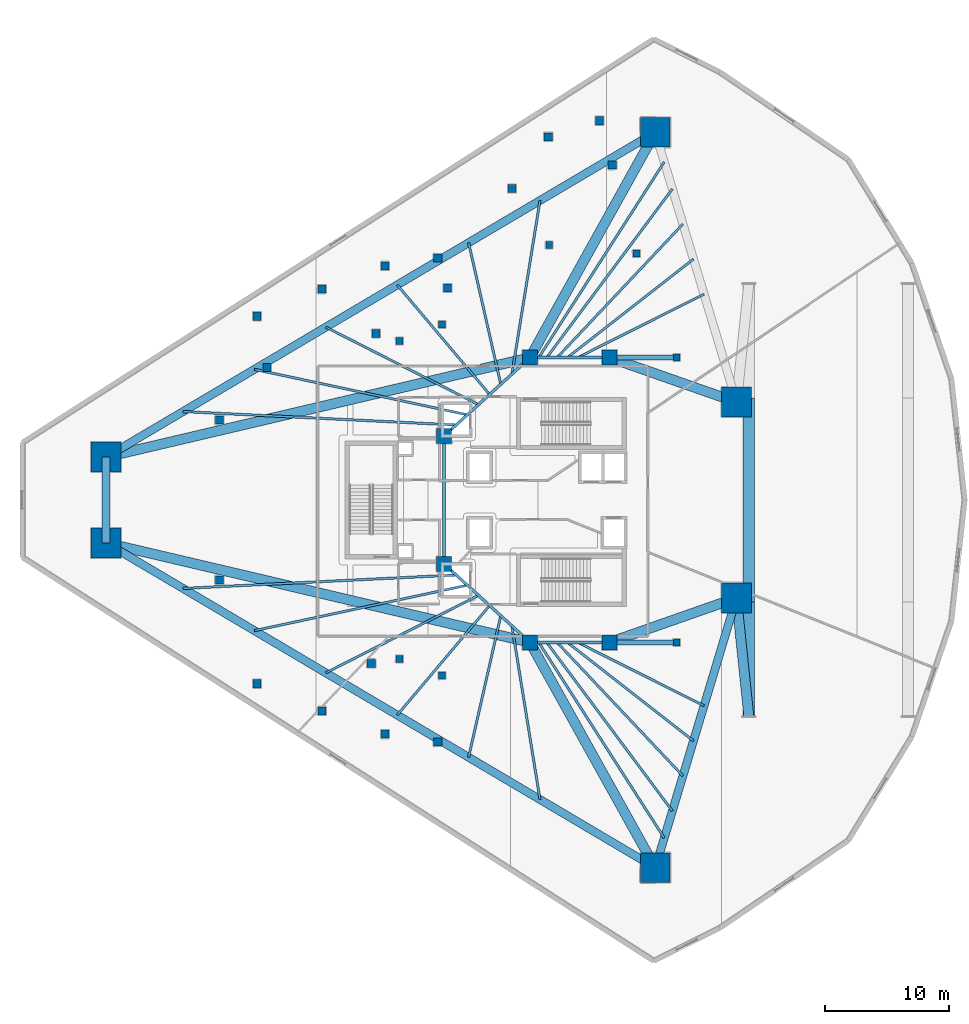
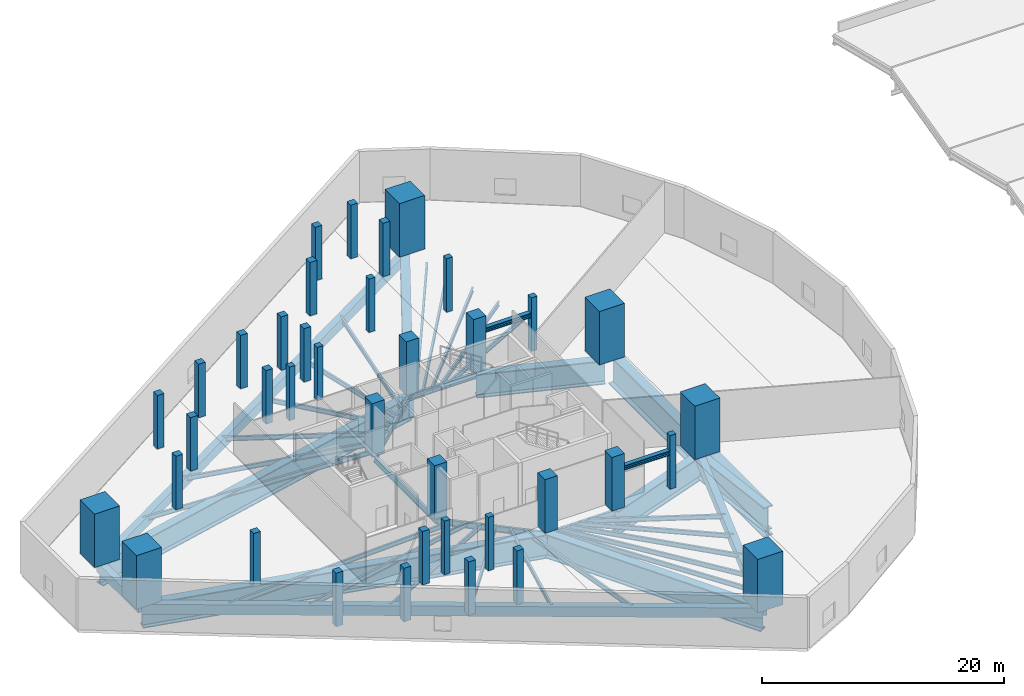
# One storey, part 1 of 36: 40 beams, 38 columns, 2 members.
"""IFC4 building model written with IfcOpenShell, lengths in metres."""

import ifcopenshell
import ifcopenshell.guid

model = None  # the IFC model being written
_history = None  # IfcOwnerHistory: only IFC2X3 demands one
_inside = {}  # id of a spatial element -> (the spatial element, [elements in it])
_under = {}  # id of a project, library or spatial element -> (it, [spatial elements below it])
_declared = {}  # id of a project -> (the project, [libraries it declares])
_typed = {}  # id of a type object -> (the type object, [elements of that type])
_made_of = {}  # id of a material, layer set ... -> (it, [elements and type objects made of it])


def new_model(schema):
    """Start an empty IFC model of exactly this schema.

    Asked for "IFC4X3", IfcOpenShell would pick the latest addendum, in which some entities
    have other attributes; the version numbers below select the first issue.
    IFC2X3 requires an IfcOwnerHistory on every rooted entity: one is made here for all.
    """
    global model, _history
    if schema == "IFC4X3":
        model = ifcopenshell.file(schema_version=(4, 3, 0, 0))
    else:
        model = ifcopenshell.file(schema=schema)
    _inside.clear()
    _under.clear()
    _declared.clear()
    _typed.clear()
    _made_of.clear()
    _history = None
    if model.schema == "IFC2X3":
        org = make("IfcOrganization", Name="unknown")
        user = make(
            "IfcPersonAndOrganization",
            ThePerson=make("IfcPerson", FamilyName="unknown"),
            TheOrganization=org,
        )
        app = make(
            "IfcApplication",
            ApplicationDeveloper=org,
            Version="unknown",
            ApplicationFullName="unknown",
            ApplicationIdentifier="unknown",
        )
        _history = make(
            "IfcOwnerHistory",
            OwningUser=user,
            OwningApplication=app,
            ChangeAction="ADDED",
            CreationDate=0,
        )
    return model


def make(cls, **values):
    """One entity of the class cls with the attributes given. An attribute that is None is left unset."""
    return model.create_entity(
        cls, **{name: value for name, value in values.items() if value is not None}
    )


def rooted(cls, **values):
    """An entity with a GlobalId (a new one), such as an element, a storey or a relation."""
    return make(cls, GlobalId=ifcopenshell.guid.new(), OwnerHistory=_history, **values)


def si_unit(unit_type, name, prefix=None):
    """IfcSIUnit, for example si_unit("LENGTHUNIT", "METRE", prefix="MILLI")."""
    return make("IfcSIUnit", UnitType=unit_type, Prefix=prefix, Name=name)


def assignment(units):
    """IfcUnitAssignment: the units of a project."""
    return None if units is None else make("IfcUnitAssignment", Units=units)


def point(xyz):
    """IfcCartesianPoint."""
    return None if xyz is None else make("IfcCartesianPoint", Coordinates=xyz)


def direction(xyz):
    """IfcDirection."""
    return None if xyz is None else make("IfcDirection", DirectionRatios=xyz)


def frame(location, z_axis=None, x_axis=None):
    """IfcAxis2Placement3D, a coordinate frame: its origin and axes. An axis left out is left unset."""
    return make(
        "IfcAxis2Placement3D",
        Location=point(location),
        Axis=direction(z_axis),
        RefDirection=direction(x_axis),
    )


def frame_2d(location, x_axis=None):
    """IfcAxis2Placement2D, a coordinate frame in the plane: its origin and x axis."""
    return make(
        "IfcAxis2Placement2D", Location=point(location), RefDirection=direction(x_axis)
    )


def origin():
    """The frame at (0, 0, 0) with its axes left unset."""
    return frame((0.0, 0.0, 0.0))


def origin_2d():
    """The frame at (0, 0) in the plane with its x axis left unset."""
    return frame_2d((0.0, 0.0))


def place(relative_to, where):
    """IfcLocalPlacement: puts the frame where relative to a parent placement (None: the world)."""
    return make(
        "IfcLocalPlacement", PlacementRelTo=relative_to, RelativePlacement=where
    )


def context(
    kind, dimensions, precision=None, world=None, true_north=None, identifier=None
):
    """IfcGeometricRepresentationContext, for example the 3D "Model" context."""
    return make(
        "IfcGeometricRepresentationContext",
        ContextIdentifier=identifier,
        ContextType=kind,
        CoordinateSpaceDimension=dimensions,
        Precision=precision,
        WorldCoordinateSystem=world,
        TrueNorth=true_north,
    )


def subcontext(parent, identifier, kind, view, scale=None):
    """IfcGeometricRepresentationSubContext, for example "Body" below "Model"."""
    return make(
        "IfcGeometricRepresentationSubContext",
        ContextIdentifier=identifier,
        ContextType=kind,
        ParentContext=parent,
        TargetScale=scale,
        TargetView=view,
    )


def project(units=None, contexts=None):
    """IfcProject with its units and contexts."""
    return rooted(
        "IfcProject",
        Name="project",
        RepresentationContexts=contexts,
        UnitsInContext=assignment(units),
    )


def spatial(cls, under=None, at=None, **own):
    """A site, building, storey or space (cls), placed at a placement, below another one or the project."""
    s = rooted(cls, ObjectPlacement=at, **own)
    if under is not None:
        _under.setdefault(under.id(), (under, []))[1].append(s)
    return s


def profile(cls, at=None, kind="AREA", **sizes):
    """A parametric profile (cls). Its sizes go by their IFC names, for example OverallWidth=200.0."""
    return make(cls, ProfileType=kind, Position=at, **sizes)


def rectangle(**sizes):
    """IfcRectangleProfileDef."""
    return profile("IfcRectangleProfileDef", **sizes)


def i_section(**sizes):
    """IfcIShapeProfileDef."""
    return profile("IfcIShapeProfileDef", **sizes)


def extrude(swept, where, along, depth):
    """IfcExtrudedAreaSolid: the profile swept, set in the frame where, extruded along a direction by depth."""
    return make(
        "IfcExtrudedAreaSolid",
        SweptArea=swept,
        Position=where,
        ExtrudedDirection=direction(along),
        Depth=depth,
    )


def shape(context_of_items, identifier, shape_type, items):
    """IfcShapeRepresentation: the items that make up one representation, for example the "Body"."""
    return make(
        "IfcShapeRepresentation",
        ContextOfItems=context_of_items,
        RepresentationIdentifier=identifier,
        RepresentationType=shape_type,
        Items=items,
    )


def material(Name=None, Category=None):
    """IfcMaterial."""
    return make("IfcMaterial", Name=Name, Category=Category)


def material_profile(
    of_material, cross_section, Name=None, Category=None, Priority=None
):
    """IfcMaterialProfile: a cross section and its material."""
    return make(
        "IfcMaterialProfile",
        Name=Name,
        Material=of_material,
        Profile=cross_section,
        Priority=Priority,
        Category=Category,
    )


def profile_set(profiles, Name=None, composite=None):
    """IfcMaterialProfileSet."""
    return make(
        "IfcMaterialProfileSet",
        Name=Name,
        MaterialProfiles=profiles,
        CompositeProfile=composite,
    )


def made_of(thing, what):
    """Note that an element or type object is made of a material, layer set ...; save() writes the relation."""
    if what is not None:
        _made_of.setdefault(what.id(), (what, []))[1].append(thing)
    return thing


def type_object(cls, material=None, **own):
    """A type object (cls), such as IfcWallType, which elements share."""
    return made_of(rooted(cls, **own), material)


def element(
    cls,
    number,
    at=None,
    inside=None,
    cuts=None,
    type_object=None,
    material=None,
    context=None,
    identifier="Body",
    shape_type=None,
    held_by="IfcProductDefinitionShape",
    body=None,
    shapes=None,
    **own,
):
    """One element of the class cls, such as IfcWall. Its Tag is "e" and its number.

    at: its placement. inside: the storey or other place that contains it. cuts: it is an
    opening in that element (IfcRelVoidsElement). A single representation is given by context,
    identifier, shape_type and body (its items); several are given by shapes. held_by: the class
    of the entity that holds the representations. save() writes the other relations.
    """
    e = rooted(cls, Tag="e%d" % number, ObjectPlacement=at, **own)
    if body is not None:
        shapes = [shape(context, identifier, shape_type, body)]
    if shapes is not None:
        e.Representation = make(held_by, Representations=shapes)
    if inside is not None:
        _inside.setdefault(inside.id(), (inside, []))[1].append(e)
    if cuts is not None:
        rooted(
            "IfcRelVoidsElement", RelatingBuildingElement=cuts, RelatedOpeningElement=e
        )
    if type_object is not None:
        _typed.setdefault(type_object.id(), (type_object, []))[1].append(e)
    return made_of(e, material)


def aggregate(whole, parts):
    """IfcRelAggregates: a whole, such as a stair, and the parts it consists of."""
    return rooted("IfcRelAggregates", RelatingObject=whole, RelatedObjects=parts)


def save(model, path):
    """Write the relations noted so far, then the file.

    IfcRelAggregates (storeys below a building ...), IfcRelContainedInSpatialStructure (elements
    in a storey), IfcRelDefinesByType, IfcRelAssociatesMaterial and IfcRelDeclares: one each for
    every whole, place, type object, material and project.
    """
    for whole, parts in _under.values():
        aggregate(whole, parts)
    for where, things in _inside.values():
        rooted(
            "IfcRelContainedInSpatialStructure",
            RelatedElements=things,
            RelatingStructure=where,
        )
    for kind, things in _typed.values():
        rooted("IfcRelDefinesByType", RelatedObjects=things, RelatingType=kind)
    for what, things in _made_of.values():
        rooted("IfcRelAssociatesMaterial", RelatedObjects=things, RelatingMaterial=what)
    for by, libraries in _declared.values():
        rooted("IfcRelDeclares", RelatingContext=by, RelatedDefinitions=libraries)
    model.write(path)


model = new_model("IFC4")

# Units and contexts
model_context = context("Model", 3, precision=1e-05, world=origin(), true_north=direction((0.0, 1.0)))
body_context = subcontext(model_context, "Body", "Model", "MODEL_VIEW")
ifc_project = project(units=[si_unit("LENGTHUNIT", "METRE"), si_unit("AREAUNIT", "SQUARE_METRE"), si_unit("VOLUMEUNIT", "CUBIC_METRE"), si_unit("PLANEANGLEUNIT", "RADIAN"), si_unit("MASSUNIT", "GRAM", prefix="KILO")], contexts=[model_context])

# Site, building, storey
site_placement = place(None, origin())
site = spatial("IfcSite", under=ifc_project, at=site_placement, CompositionType="ELEMENT")
building_placement = place(site_placement, origin())
building = spatial("IfcBuilding", under=site, at=building_placement, Name="Qorvath Tower", CompositionType="ELEMENT")
storey_placement = place(building_placement, frame((0.0, 0.0, 27.0)))
storey = spatial("IfcBuildingStorey", under=building, at=storey_placement, Name="L05", CompositionType="ELEMENT", Elevation=27.0)

# Columns
ifc_material_1 = material(Name="Concrete C70/85", Category="concrete")
ifc_material_profile_1 = material_profile(ifc_material_1, rectangle(XDim=2.39990234375, YDim=2.39990234375, at=origin_2d()), Name="MC 2400x2400")
ifc_profile_set_1 = profile_set([ifc_material_profile_1], Name="Concrete C70/85")
column_type_1 = type_object("IfcColumnType", Name="COL-MC1", PredefinedType="COLUMN", material=ifc_profile_set_1)
for number, where, z_axis, x_axis, name in (
    (1, (-57.679931640625, 3.4560546875, 0.0), (0.0, 0.0, 1.0), (1.0, 0.0, 0.0), "Composite Mega-Column MC1 L05"),
    (2, (-57.679931640625, -3.4560546875, 0.0), (0.0, 0.0, 1.0), (1.0, 0.0, 0.0), "Composite Mega-Column MC2 L05"),
    (3, (-13.52001953125, -29.568115234375, 0.0), (0.0, 0.0, 1.0), (1.0, 0.0, 0.0), "Composite Mega-Column MC3 L05"),
    (4, (-6.991943359375, -7.8720703125, 0.0), (0.0, 0.0, 1.0), (1.0, 0.0, 0.0), "Composite Mega-Column MC4 L05"),
    (5, (-6.991943359375, 7.8720703125, 0.0), (0.0, 0.0, 1.0), (1.0, 0.0, 0.0), "Composite Mega-Column MC5 L05"),
    (6, (-13.52001953125, 29.568115234375, 0.0), (0.0, 0.0, 1.0), (1.0, 0.0, 0.0), "Composite Mega-Column MC6 L05"),
):
    element("IfcColumn", number, at=place(storey_placement, frame(where, z_axis=z_axis, x_axis=x_axis)), inside=storey, type_object=column_type_1, Name=name, PredefinedType="COLUMN", context=body_context, shape_type="SweptSolid", body=[
        extrude(rectangle(XDim=2.39990234375, YDim=2.39990234375, at=origin_2d()), origin(), (0.0, 0.0, 1.0), 5.39990234375),
    ])
ifc_material_2 = material(Name="Concrete C60/75", Category="concrete")
ifc_material_profile_2 = material_profile(ifc_material_2, rectangle(XDim=1.199951171875, YDim=1.199951171875, at=origin_2d()), Name="RC 1200x1200")
ifc_profile_set_2 = profile_set([ifc_material_profile_2], Name="Concrete C60/75")
column_type_2 = type_object("IfcColumnType", Name="COL-RC1", PredefinedType="COLUMN", material=ifc_profile_set_2)
for number, where, z_axis, x_axis, name in (
    (7, (-23.60009765625, 11.449951171875, 0.0), (0.0, 0.0, 1.0), (1.0, 0.0, 0.0), "Core Spine Column CC1 L05"),
    (8, (-17.199951171875, 11.449951171875, 0.0), (0.0, 0.0, 1.0), (1.0, 0.0, 0.0), "Core Spine Column CC2 L05"),
    (9, (-17.199951171875, -11.449951171875, 0.0), (0.0, 0.0, 1.0), (1.0, 0.0, 0.0), "Core Spine Column CC3 L05"),
    (10, (-23.60009765625, -11.449951171875, 0.0), (0.0, 0.0, 1.0), (1.0, 0.0, 0.0), "Core Spine Column CC4 L05"),
    (11, (-30.5, 5.14990234375, 0.0), (0.0, 0.0, 1.0), (1.0, 0.0, 0.0), "Core Spine Column CC5 L05"),
    (12, (-30.5, -5.14990234375, 0.0), (0.0, 0.0, 1.0), (1.0, 0.0, 0.0), "Core Spine Column CC6 L05"),
):
    element("IfcColumn", number, at=place(storey_placement, frame(where, z_axis=z_axis, x_axis=x_axis)), inside=storey, type_object=column_type_2, Name=name, PredefinedType="COLUMN", context=body_context, shape_type="SweptSolid", body=[
        extrude(rectangle(XDim=1.199951171875, YDim=1.199951171875, at=origin_2d()), origin(), (0.0, 0.0, 1.0), 5.39990234375),
    ])
ifc_material_3 = material(Name="Concrete C45/55", Category="concrete")
ifc_material_profile_3 = material_profile(ifc_material_3, rectangle(XDim=0.64990234375, YDim=0.64990234375, at=origin_2d()), Name="RC 650x650")
ifc_profile_set_3 = profile_set([ifc_material_profile_3], Name="Concrete C45/55")
column_type_3 = type_object("IfcColumnType", Name="COL-RC6", PredefinedType="COLUMN", material=ifc_profile_set_3)
for number, where, z_axis, x_axis, name in (
    (13, (-45.536376953125, 14.774658203125, 0.0), (0.0, 0.0, 1.0), (1.0, 0.0, 0.0), "Loggia Frame Pier Column LGA1 L05"),
    (14, (-45.536376953125, -14.774658203125, 0.0), (0.0, 0.0, 1.0), (1.0, 0.0, 0.0), "Loggia Frame Pier Column LGA2 L05"),
    (15, (-22.13134765625, 29.20556640625, 0.0), (0.0, 0.0, 1.0), (1.0, 0.0, 0.0), "Loggia Frame Pier Column LGA3 L05"),
    (16, (-40.33251953125, 16.955810546875, 0.0), (0.0, 0.0, 1.0), (1.0, 0.0, 0.0), "Loggia Frame Pier Column LGB1 L05"),
    (17, (-40.33251953125, -16.955810546875, 0.0), (0.0, 0.0, 1.0), (1.0, 0.0, 0.0), "Loggia Frame Pier Column LGB2 L05"),
    (18, (-18.0, 30.5, 0.0), (0.0, 0.0, 1.0), (1.0, 0.0, 0.0), "Loggia Frame Pier Column LGB3 L05"),
    (19, (-35.251708984375, 18.829345703125, 0.0), (0.0, 0.0, 1.0), (1.0, 0.0, 0.0), "Loggia Frame Pier Column LGC1 L05"),
    (20, (-35.251708984375, -18.829345703125, 0.0), (0.0, 0.0, 1.0), (1.0, 0.0, 0.0), "Loggia Frame Pier Column LGC2 L05"),
    (21, (-25.03759765625, 25.058837890625, 0.0), (0.0, 0.0, 1.0), (1.0, 0.0, 0.0), "Loggia Frame Pier Column LGC3 L05"),
    (22, (-31.01611328125, 19.46044921875, 0.0), (0.0, 0.0, 1.0), (1.0, 0.0, 0.0), "Loggia Frame Pier Column LGD1 L05"),
    (23, (-31.01611328125, -19.46044921875, 0.0), (0.0, 0.0, 1.0), (1.0, 0.0, 0.0), "Loggia Frame Pier Column LGD2 L05"),
    (24, (-44.736328125, 10.65234375, 0.0), (0.0, 0.0, 1.0), (1.0, 0.0, 0.0), "Loggia Frame Pier Column LGD3 L05"),
    (25, (-48.578369140625, 6.424560546875, 0.0), (0.0, 0.0, 1.0), (1.0, 0.0, 0.0), "Loggia Frame Pier Column LGE1 L05"),
    (26, (-48.578369140625, -6.424560546875, 0.0), (0.0, 0.0, 1.0), (1.0, 0.0, 0.0), "Loggia Frame Pier Column LGE2 L05"),
    (27, (-16.981201171875, 26.92919921875, 0.0), (0.0, 0.0, 1.0), (1.0, 0.0, 0.0), "Loggia Frame Pier Column LGE3 L05"),
    (28, (-35.980712890625, 13.380859375, 0.0), (0.0, 0.0, 1.0), (1.0, 0.0, 0.0), "Loggia Frame Pier Column LGF1 L05"),
    (29, (-36.36474609375, -13.135498046875, 0.0), (0.0, 0.0, 1.0), (1.0, 0.0, 0.0), "Loggia Frame Pier Column LGF2 L05"),
    (30, (-30.224853515625, 17.0595703125, 0.0), (0.0, 0.0, 1.0), (1.0, 0.0, 0.0), "Loggia Frame Pier Column LGF3 L05"),
):
    element("IfcColumn", number, at=place(storey_placement, frame(where, z_axis=z_axis, x_axis=x_axis)), inside=storey, type_object=column_type_3, Name=name, PredefinedType="COLUMN", context=body_context, shape_type="SweptSolid", body=[
        extrude(rectangle(XDim=0.64990234375, YDim=0.64990234375, at=origin_2d()), origin(), (0.0, 0.0, 1.0), 5.39990234375),
    ])
ifc_material_4 = material(Name="Concrete C45/55", Category="concrete")
ifc_material_profile_4 = material_profile(ifc_material_4, rectangle(XDim=0.550048828125, YDim=0.550048828125, at=origin_2d()), Name="RC 550x550")
ifc_profile_set_4 = profile_set([ifc_material_profile_4], Name="Concrete C45/55")
column_type_4 = type_object("IfcColumnType", Name="COL-RC7", PredefinedType="COLUMN", material=ifc_profile_set_4)
for number, where, z_axis, x_axis, name in (
    (31, (-34.104248046875, 12.79248046875, 0.0), (0.0, 0.0, 1.0), (1.0, 0.0, 0.0), "Loggia Frame Pier Column LGG1 L05"),
    (32, (-34.104248046875, -12.79248046875, 0.0), (0.0, 0.0, 1.0), (1.0, 0.0, 0.0), "Loggia Frame Pier Column LGG2 L05"),
    (33, (-22.05322265625, 20.494873046875, 0.0), (0.0, 0.0, 1.0), (1.0, 0.0, 0.0), "Loggia Frame Pier Column LGG3 L05"),
    (34, (-30.67724609375, 14.124267578125, 0.0), (0.0, 0.0, 1.0), (1.0, 0.0, 0.0), "Loggia Frame Pier Column LGH1 L05"),
    (35, (-30.67724609375, -14.124267578125, 0.0), (0.0, 0.0, 1.0), (1.0, 0.0, 0.0), "Loggia Frame Pier Column LGH2 L05"),
    (36, (-15.046142578125, 19.818115234375, 0.0), (0.0, 0.0, 1.0), (1.0, 0.0, 0.0), "Loggia Frame Pier Column LGH3 L05"),
    (37, (-11.800048828125, -11.449951171875, 0.0), (0.0, 0.0, 1.0), (1.0, 0.0, 0.0), "Central Slot Jamb Column SC1 L05"),
    (38, (-11.800048828125, 11.449951171875, 0.0), (0.0, 0.0, 1.0), (1.0, 0.0, 0.0), "Central Slot Jamb Column SC2 L05"),
):
    element("IfcColumn", number, at=place(storey_placement, frame(where, z_axis=z_axis, x_axis=x_axis)), inside=storey, type_object=column_type_4, Name=name, PredefinedType="COLUMN", context=body_context, shape_type="SweptSolid", body=[
        extrude(rectangle(XDim=0.550048828125, YDim=0.550048828125, at=origin_2d()), origin(), (0.0, 0.0, 1.0), 5.39990234375),
    ])

# Beams
ifc_material_5 = material(Name="Steel ASTM A992 Grade 50", Category="steel")
ifc_material_profile_5 = material_profile(ifc_material_5, i_section(OverallWidth=0.22998046875, OverallDepth=0.616943359375, WebThickness=0.01318359375, FlangeThickness=0.022216796875, FilletRadius=0.014892578125, at=origin_2d()), Name="W24x94")
ifc_profile_set_5 = profile_set([ifc_material_profile_5], Name="Steel ASTM A992 Grade 50")
beam_type_1 = type_object("IfcBeamType", Name="BM-FG6", PredefinedType="BEAM", material=ifc_profile_set_5)
for number, where, z_axis, x_axis, name in (
    (39, (-23.60009765625, 11.449951171875, -0.728515625), (1.0, 0.0, 0.0), (0.0, 1.0, 0.0), "Core Ring Girder CC1-CC2 L05"),
    (40, (-17.199951171875, -11.449951171875, -0.728515625), (-1.0, 0.0, 0.0), (0.0, -1.0, 0.0), "Core Ring Girder CC3-CC4 L05"),
):
    element("IfcBeam", number, at=place(storey_placement, frame(where, z_axis=z_axis, x_axis=x_axis)), inside=storey, type_object=beam_type_1, Name=name, PredefinedType="BEAM", context=body_context, shape_type="SweptSolid", body=[
        extrude(i_section(OverallWidth=0.22998046875, OverallDepth=0.616943359375, WebThickness=0.01318359375, FlangeThickness=0.022216796875, FilletRadius=0.014892578125, at=origin_2d()), origin(), (0.0, 0.0, 1.0), 6.400146484375),
    ])
beam_1_placement = place(storey_placement, frame((-23.60009765625, -11.449951171875, -0.728515625), z_axis=(-0.73847813985, 0.6742774184, 0.0), x_axis=(-0.6742774184, -0.73847813985, 0.0)))
element("IfcBeam", 41, at=beam_1_placement, inside=storey, type_object=beam_type_1, Name="Core Ring Girder CC4-CC6 L05", PredefinedType="BEAM", context=body_context, shape_type="SweptSolid", body=[
    extrude(i_section(OverallWidth=0.22998046875, OverallDepth=0.616943359375, WebThickness=0.01318359375, FlangeThickness=0.022216796875, FilletRadius=0.014892578125, at=origin_2d()), origin(), (0.0, 0.0, 1.0), 9.343505859375),
])
beam_2_placement = place(storey_placement, frame((-30.5, -5.14990234375, -0.728515625), z_axis=(0.0, 1.0, 0.0), x_axis=(-1.0, 0.0, 0.0)))
element("IfcBeam", 42, at=beam_2_placement, inside=storey, type_object=beam_type_1, Name="Core Ring Girder CC6-CC5 L05", PredefinedType="BEAM", context=body_context, shape_type="SweptSolid", body=[
    extrude(i_section(OverallWidth=0.22998046875, OverallDepth=0.616943359375, WebThickness=0.01318359375, FlangeThickness=0.022216796875, FilletRadius=0.014892578125, at=origin_2d()), origin(), (0.0, 0.0, 1.0), 10.2998046875),
])
beam_3_placement = place(storey_placement, frame((-30.5, 5.14990234375, -0.728515625), z_axis=(0.73847813985, 0.6742774184, 0.0), x_axis=(-0.6742774184, 0.73847813985, 0.0)))
element("IfcBeam", 43, at=beam_3_placement, inside=storey, type_object=beam_type_1, Name="Core Ring Girder CC5-CC1 L05", PredefinedType="BEAM", context=body_context, shape_type="SweptSolid", body=[
    extrude(i_section(OverallWidth=0.22998046875, OverallDepth=0.616943359375, WebThickness=0.01318359375, FlangeThickness=0.022216796875, FilletRadius=0.014892578125, at=origin_2d()), origin(), (0.0, 0.0, 1.0), 9.343505859375),
])
ifc_material_6 = material(Name="Steel ASTM A992 Grade 50", Category="steel")
ifc_material_profile_6 = material_profile(ifc_material_6, i_section(OverallWidth=0.18994140625, OverallDepth=0.45703125, WebThickness=0.009033203125, FlangeThickness=0.014404296875, FilletRadius=0.011962890625, at=origin_2d()), Name="W18x50")
ifc_profile_set_6 = profile_set([ifc_material_profile_6], Name="Steel ASTM A992 Grade 50")
beam_type_2 = type_object("IfcBeamType", Name="BM-FJ2", PredefinedType="JOIST", material=ifc_profile_set_6)
beam_4_placement = place(storey_placement, frame((-19.760009765625, 11.449951171875, -0.6484375), z_axis=(0.893652537812, 0.448759558854, 0.0), x_axis=(-0.448759558854, 0.893652537812, 0.0)))
element("IfcBeam", 44, at=beam_4_placement, inside=storey, type_object=beam_type_2, Name="Composite Floor Joist NE3 L05", PredefinedType="JOIST", context=body_context, shape_type="SweptSolid", body=[
    extrude(i_section(OverallWidth=0.18994140625, OverallDepth=0.45703125, WebThickness=0.009033203125, FlangeThickness=0.014404296875, FilletRadius=0.011962890625, at=origin_2d()), origin(), (0.0, 0.0, 1.0), 11.365478515625),
])
beam_5_placement = place(storey_placement, frame((-20.592041015625, 11.449951171875, -0.6484375), z_axis=(0.788065219548, 0.615591755743, 0.0), x_axis=(-0.615591755743, 0.788065219548, 0.0)))
element("IfcBeam", 45, at=beam_5_placement, inside=storey, type_object=beam_type_2, Name="Composite Floor Joist NE4 L05", PredefinedType="JOIST", context=body_context, shape_type="SweptSolid", body=[
    extrude(i_section(OverallWidth=0.18994140625, OverallDepth=0.45703125, WebThickness=0.009033203125, FlangeThickness=0.014404296875, FilletRadius=0.011962890625, at=origin_2d()), origin(), (0.0, 0.0, 1.0), 12.8671875),
])
beam_6_placement = place(storey_placement, frame((-21.424072265625, 11.449951171875, -0.6484375), z_axis=(0.685864998621, 0.727728798156, 0.0), x_axis=(-0.727728798156, 0.685864998621, 0.0)))
element("IfcBeam", 46, at=beam_6_placement, inside=storey, type_object=beam_type_2, Name="Composite Floor Joist NE5 L05", PredefinedType="JOIST", context=body_context, shape_type="SweptSolid", body=[
    extrude(i_section(OverallWidth=0.18994140625, OverallDepth=0.45703125, WebThickness=0.009033203125, FlangeThickness=0.014404296875, FilletRadius=0.011962890625, at=origin_2d()), origin(), (0.0, 0.0, 1.0), 14.76025390625),
])
beam_7_placement = place(storey_placement, frame((-22.256103515625, 11.449951171875, -0.6484375), z_axis=(0.597560668487, 0.801823700995, 0.0), x_axis=(-0.801823700995, 0.597560668487, 0.0)))
element("IfcBeam", 47, at=beam_7_placement, inside=storey, type_object=beam_type_2, Name="Composite Floor Joist NE6 L05", PredefinedType="JOIST", context=body_context, shape_type="SweptSolid", body=[
    extrude(i_section(OverallWidth=0.18994140625, OverallDepth=0.45703125, WebThickness=0.009033203125, FlangeThickness=0.014404296875, FilletRadius=0.011962890625, at=origin_2d()), origin(), (0.0, 0.0, 1.0), 16.91357421875),
])
beam_8_placement = place(storey_placement, frame((-22.89599609375, 11.449951171875, -0.6484375), z_axis=(0.540035180097, 0.841642444425, 0.0), x_axis=(-0.841642444425, 0.540035180097, 0.0)))
element("IfcBeam", 48, at=beam_8_placement, inside=storey, type_object=beam_type_2, Name="Composite Floor Joist NE7 L05", PredefinedType="JOIST", context=body_context, shape_type="SweptSolid", body=[
    extrude(i_section(OverallWidth=0.18994140625, OverallDepth=0.45703125, WebThickness=0.009033203125, FlangeThickness=0.014404296875, FilletRadius=0.011962890625, at=origin_2d()), origin(), (0.0, 0.0, 1.0), 18.69140625),
])
beam_9_placement = place(storey_placement, frame((-19.760009765625, -11.449951171875, -0.6484375), z_axis=(0.893652537812, -0.448759558854, 0.0), x_axis=(0.448759558854, 0.893652537812, 0.0)))
element("IfcBeam", 49, at=beam_9_placement, inside=storey, type_object=beam_type_2, Name="Composite Floor Joist SE3 L05", PredefinedType="JOIST", context=body_context, shape_type="SweptSolid", body=[
    extrude(i_section(OverallWidth=0.18994140625, OverallDepth=0.45703125, WebThickness=0.009033203125, FlangeThickness=0.014404296875, FilletRadius=0.011962890625, at=origin_2d()), origin(), (0.0, 0.0, 1.0), 11.365478515625),
])
beam_10_placement = place(storey_placement, frame((-20.592041015625, -11.449951171875, -0.6484375), z_axis=(0.788065219548, -0.615591755743, 0.0), x_axis=(0.615591755743, 0.788065219548, 0.0)))
element("IfcBeam", 50, at=beam_10_placement, inside=storey, type_object=beam_type_2, Name="Composite Floor Joist SE4 L05", PredefinedType="JOIST", context=body_context, shape_type="SweptSolid", body=[
    extrude(i_section(OverallWidth=0.18994140625, OverallDepth=0.45703125, WebThickness=0.009033203125, FlangeThickness=0.014404296875, FilletRadius=0.011962890625, at=origin_2d()), origin(), (0.0, 0.0, 1.0), 12.8671875),
])
beam_11_placement = place(storey_placement, frame((-21.424072265625, -11.449951171875, -0.6484375), z_axis=(0.685864998621, -0.727728798156, 0.0), x_axis=(0.727728798156, 0.685864998621, 0.0)))
element("IfcBeam", 51, at=beam_11_placement, inside=storey, type_object=beam_type_2, Name="Composite Floor Joist SE5 L05", PredefinedType="JOIST", context=body_context, shape_type="SweptSolid", body=[
    extrude(i_section(OverallWidth=0.18994140625, OverallDepth=0.45703125, WebThickness=0.009033203125, FlangeThickness=0.014404296875, FilletRadius=0.011962890625, at=origin_2d()), origin(), (0.0, 0.0, 1.0), 14.76025390625),
])
beam_12_placement = place(storey_placement, frame((-22.256103515625, -11.449951171875, -0.6484375), z_axis=(0.597560668487, -0.801823700995, 0.0), x_axis=(0.801823700995, 0.597560668487, 0.0)))
element("IfcBeam", 52, at=beam_12_placement, inside=storey, type_object=beam_type_2, Name="Composite Floor Joist SE6 L05", PredefinedType="JOIST", context=body_context, shape_type="SweptSolid", body=[
    extrude(i_section(OverallWidth=0.18994140625, OverallDepth=0.45703125, WebThickness=0.009033203125, FlangeThickness=0.014404296875, FilletRadius=0.011962890625, at=origin_2d()), origin(), (0.0, 0.0, 1.0), 16.91357421875),
])
beam_13_placement = place(storey_placement, frame((-22.89599609375, -11.449951171875, -0.6484375), z_axis=(0.540035180097, -0.841642444425, 0.0), x_axis=(0.841642444425, 0.540035180097, 0.0)))
element("IfcBeam", 53, at=beam_13_placement, inside=storey, type_object=beam_type_2, Name="Composite Floor Joist SE7 L05", PredefinedType="JOIST", context=body_context, shape_type="SweptSolid", body=[
    extrude(i_section(OverallWidth=0.18994140625, OverallDepth=0.45703125, WebThickness=0.009033203125, FlangeThickness=0.014404296875, FilletRadius=0.011962890625, at=origin_2d()), origin(), (0.0, 0.0, 1.0), 18.69140625),
])
beam_14_placement = place(storey_placement, frame((-29.533935546875, 6.031982421875, -0.6484375), z_axis=(-0.998794149334, 0.04909426907, 0.0), x_axis=(-0.04909426907, -0.998794149334, 0.0)))
element("IfcBeam", 54, at=beam_14_placement, inside=storey, type_object=beam_type_2, Name="Composite Floor Joist NW1 L05", PredefinedType="JOIST", context=body_context, shape_type="SweptSolid", body=[
    extrude(i_section(OverallWidth=0.18994140625, OverallDepth=0.45703125, WebThickness=0.009033203125, FlangeThickness=0.014404296875, FilletRadius=0.011962890625, at=origin_2d()), origin(), (0.0, 0.0, 1.0), 21.990234375),
])
beam_15_placement = place(storey_placement, frame((-28.636962890625, 6.85107421875, -0.6484375), z_axis=(-0.977957459776, 0.208804230962, 0.0), x_axis=(-0.208804230962, -0.977957459776, 0.0)))
element("IfcBeam", 55, at=beam_15_placement, inside=storey, type_object=beam_type_2, Name="Composite Floor Joist NW2 L05", PredefinedType="JOIST", context=body_context, shape_type="SweptSolid", body=[
    extrude(i_section(OverallWidth=0.18994140625, OverallDepth=0.45703125, WebThickness=0.009033203125, FlangeThickness=0.014404296875, FilletRadius=0.011962890625, at=origin_2d()), origin(), (0.0, 0.0, 1.0), 17.505859375),
])
beam_16_placement = place(storey_placement, frame((-27.739990234375, 7.669921875, -0.6484375), z_axis=(-0.891711806986, 0.452603638166, 0.0), x_axis=(-0.452603638166, -0.891711806986, 0.0)))
element("IfcBeam", 56, at=beam_16_placement, inside=storey, type_object=beam_type_2, Name="Composite Floor Joist NW3 L05", PredefinedType="JOIST", context=body_context, shape_type="SweptSolid", body=[
    extrude(i_section(OverallWidth=0.18994140625, OverallDepth=0.45703125, WebThickness=0.009033203125, FlangeThickness=0.014404296875, FilletRadius=0.011962890625, at=origin_2d()), origin(), (0.0, 0.0, 1.0), 13.766845703125),
])
beam_17_placement = place(storey_placement, frame((-26.843017578125, 8.489013671875, -0.6484375), z_axis=(-0.644958726494, 0.764217404355, 0.0), x_axis=(-0.764217404355, -0.644958726494, 0.0)))
element("IfcBeam", 57, at=beam_17_placement, inside=storey, type_object=beam_type_2, Name="Composite Floor Joist NW4 L05", PredefinedType="JOIST", context=body_context, shape_type="SweptSolid", body=[
    extrude(i_section(OverallWidth=0.18994140625, OverallDepth=0.45703125, WebThickness=0.009033203125, FlangeThickness=0.014404296875, FilletRadius=0.011962890625, at=origin_2d()), origin(), (0.0, 0.0, 1.0), 11.5234375),
])
beam_18_placement = place(storey_placement, frame((-25.946044921875, 9.30810546875, -0.6484375), z_axis=(-0.221751282053, 0.975103260639, 0.0), x_axis=(-0.975103260639, -0.221751282053, 0.0)))
element("IfcBeam", 58, at=beam_18_placement, inside=storey, type_object=beam_type_2, Name="Composite Floor Joist NW5 L05", PredefinedType="JOIST", context=body_context, shape_type="SweptSolid", body=[
    extrude(i_section(OverallWidth=0.18994140625, OverallDepth=0.45703125, WebThickness=0.009033203125, FlangeThickness=0.014404296875, FilletRadius=0.011962890625, at=origin_2d()), origin(), (0.0, 0.0, 1.0), 11.67236328125),
])
beam_19_placement = place(storey_placement, frame((-25.049072265625, 10.126953125, -0.6484375), z_axis=(0.159519083064, 0.987194845073, 0.0), x_axis=(-0.987194845073, 0.159519083064, 0.0)))
element("IfcBeam", 59, at=beam_19_placement, inside=storey, type_object=beam_type_2, Name="Composite Floor Joist NW6 L05", PredefinedType="JOIST", context=body_context, shape_type="SweptSolid", body=[
    extrude(i_section(OverallWidth=0.18994140625, OverallDepth=0.45703125, WebThickness=0.009033203125, FlangeThickness=0.014404296875, FilletRadius=0.011962890625, at=origin_2d()), origin(), (0.0, 0.0, 1.0), 14.138671875),
])
beam_20_placement = place(storey_placement, frame((-29.533935546875, -6.031982421875, -0.6484375), z_axis=(-0.998794149334, -0.04909426907, 0.0), x_axis=(0.04909426907, -0.998794149334, 0.0)))
element("IfcBeam", 60, at=beam_20_placement, inside=storey, type_object=beam_type_2, Name="Composite Floor Joist SW1 L05", PredefinedType="JOIST", context=body_context, shape_type="SweptSolid", body=[
    extrude(i_section(OverallWidth=0.18994140625, OverallDepth=0.45703125, WebThickness=0.009033203125, FlangeThickness=0.014404296875, FilletRadius=0.011962890625, at=origin_2d()), origin(), (0.0, 0.0, 1.0), 21.990234375),
])
beam_21_placement = place(storey_placement, frame((-28.636962890625, -6.85107421875, -0.6484375), z_axis=(-0.977957459776, -0.208804230962, 0.0), x_axis=(0.208804230962, -0.977957459776, 0.0)))
element("IfcBeam", 61, at=beam_21_placement, inside=storey, type_object=beam_type_2, Name="Composite Floor Joist SW2 L05", PredefinedType="JOIST", context=body_context, shape_type="SweptSolid", body=[
    extrude(i_section(OverallWidth=0.18994140625, OverallDepth=0.45703125, WebThickness=0.009033203125, FlangeThickness=0.014404296875, FilletRadius=0.011962890625, at=origin_2d()), origin(), (0.0, 0.0, 1.0), 17.505859375),
])
beam_22_placement = place(storey_placement, frame((-27.739990234375, -7.669921875, -0.6484375), z_axis=(-0.891711806986, -0.452603638166, 0.0), x_axis=(0.452603638166, -0.891711806986, 0.0)))
element("IfcBeam", 62, at=beam_22_placement, inside=storey, type_object=beam_type_2, Name="Composite Floor Joist SW3 L05", PredefinedType="JOIST", context=body_context, shape_type="SweptSolid", body=[
    extrude(i_section(OverallWidth=0.18994140625, OverallDepth=0.45703125, WebThickness=0.009033203125, FlangeThickness=0.014404296875, FilletRadius=0.011962890625, at=origin_2d()), origin(), (0.0, 0.0, 1.0), 13.766845703125),
])
beam_23_placement = place(storey_placement, frame((-26.843017578125, -8.489013671875, -0.6484375), z_axis=(-0.644958726494, -0.764217404355, 0.0), x_axis=(0.764217404355, -0.644958726494, 0.0)))
element("IfcBeam", 63, at=beam_23_placement, inside=storey, type_object=beam_type_2, Name="Composite Floor Joist SW4 L05", PredefinedType="JOIST", context=body_context, shape_type="SweptSolid", body=[
    extrude(i_section(OverallWidth=0.18994140625, OverallDepth=0.45703125, WebThickness=0.009033203125, FlangeThickness=0.014404296875, FilletRadius=0.011962890625, at=origin_2d()), origin(), (0.0, 0.0, 1.0), 11.5234375),
])
beam_24_placement = place(storey_placement, frame((-25.946044921875, -9.30810546875, -0.6484375), z_axis=(-0.221751282053, -0.975103260639, 0.0), x_axis=(0.975103260639, -0.221751282053, 0.0)))
element("IfcBeam", 64, at=beam_24_placement, inside=storey, type_object=beam_type_2, Name="Composite Floor Joist SW5 L05", PredefinedType="JOIST", context=body_context, shape_type="SweptSolid", body=[
    extrude(i_section(OverallWidth=0.18994140625, OverallDepth=0.45703125, WebThickness=0.009033203125, FlangeThickness=0.014404296875, FilletRadius=0.011962890625, at=origin_2d()), origin(), (0.0, 0.0, 1.0), 11.67236328125),
])
beam_25_placement = place(storey_placement, frame((-25.049072265625, -10.126953125, -0.6484375), z_axis=(0.159519083064, -0.987194845073, 0.0), x_axis=(0.987194845073, 0.159519083064, 0.0)))
element("IfcBeam", 65, at=beam_25_placement, inside=storey, type_object=beam_type_2, Name="Composite Floor Joist SW6 L05", PredefinedType="JOIST", context=body_context, shape_type="SweptSolid", body=[
    extrude(i_section(OverallWidth=0.18994140625, OverallDepth=0.45703125, WebThickness=0.009033203125, FlangeThickness=0.014404296875, FilletRadius=0.011962890625, at=origin_2d()), origin(), (0.0, 0.0, 1.0), 14.138671875),
])
ifc_material_7 = material(Name="Concrete C50/60", Category="concrete")
ifc_material_profile_7 = material_profile(ifc_material_7, rectangle(XDim=0.64990234375, YDim=1.0, at=origin_2d()), Name="RCB 1000x650")
ifc_profile_set_7 = profile_set([ifc_material_profile_7], Name="Concrete C50/60")
beam_type_3 = type_object("IfcBeamType", Name="BM-RCB1", PredefinedType="SPANDREL", material=ifc_profile_set_7)
beam_26_placement = place(storey_placement, frame((-57.679931640625, 3.4560546875, -0.919921875), z_axis=(0.0, -1.0, 0.0), x_axis=(1.0, 0.0, 0.0)))
element("IfcBeam", 66, at=beam_26_placement, inside=storey, type_object=beam_type_3, Name="Perimeter Loggia Frame Beam MC1-MC2 L05", PredefinedType="SPANDREL", context=body_context, shape_type="SweptSolid", body=[
    extrude(rectangle(XDim=0.64990234375, YDim=1.0, at=origin_2d()), origin(), (0.0, 0.0, 1.0), 6.912109375),
])
beam_27_placement = place(storey_placement, frame((-57.679931640625, -3.4560546875, -0.919921875), z_axis=(0.860776517711, -0.50898309064, 0.0), x_axis=(0.50898309064, 0.860776517711, 0.0)))
element("IfcBeam", 67, at=beam_27_placement, inside=storey, type_object=beam_type_3, Name="Perimeter Loggia Frame Beam MC2-MC3 L05", PredefinedType="SPANDREL", context=body_context, shape_type="SweptSolid", body=[
    extrude(rectangle(XDim=0.64990234375, YDim=1.0, at=origin_2d()), origin(), (0.0, 0.0, 1.0), 51.302490234375),
])
beam_28_placement = place(storey_placement, frame((-13.52001953125, -29.568115234375, -0.919921875), z_axis=(0.288127782888, 0.957591969854, 0.0), x_axis=(-0.957591969854, 0.288127782888, 0.0)))
element("IfcBeam", 68, at=beam_28_placement, inside=storey, type_object=beam_type_3, Name="Perimeter Loggia Frame Beam MC3-MC4 L05", PredefinedType="SPANDREL", context=body_context, shape_type="SweptSolid", body=[
    extrude(rectangle(XDim=0.64990234375, YDim=1.0, at=origin_2d()), origin(), (0.0, 0.0, 1.0), 22.656982421875),
])
beam_29_placement = place(storey_placement, frame((-13.52001953125, 29.568115234375, -0.919921875), z_axis=(-0.860776517711, -0.50898309064, 0.0), x_axis=(0.50898309064, -0.860776517711, 0.0)))
element("IfcBeam", 69, at=beam_29_placement, inside=storey, type_object=beam_type_3, Name="Perimeter Loggia Frame Beam MC6-MC1 L05", PredefinedType="SPANDREL", context=body_context, shape_type="SweptSolid", body=[
    extrude(rectangle(XDim=0.64990234375, YDim=1.0, at=origin_2d()), origin(), (0.0, 0.0, 1.0), 51.302490234375),
])
ifc_material_8 = material(Name="Steel ASTM A572 Grade 42", Category="steel")
ifc_material_profile_8 = material_profile(ifc_material_8, i_section(OverallWidth=0.89990234375, OverallDepth=3.0, WebThickness=0.06005859375, FlangeThickness=0.1201171875, FilletRadius=0.030029296875, at=origin_2d()), Name="WTG 3000x900")
ifc_profile_set_8 = profile_set([ifc_material_profile_8], Name="Steel ASTM A572 Grade 42")
beam_type_4 = type_object("IfcBeamType", Name="BM-TG1", PredefinedType="BEAM", material=ifc_profile_set_8)
beam_30_placement = place(storey_placement, frame((-6.0, -17.39990234375, -1.919921875), z_axis=(0.0, 1.0, 0.0), x_axis=(-1.0, 0.0, 0.0)))
element("IfcBeam", 70, at=beam_30_placement, inside=storey, type_object=beam_type_4, Name="L05 Arch Transfer Girder INNER-1", PredefinedType="BEAM", context=body_context, shape_type="SweptSolid", body=[
    extrude(i_section(OverallWidth=0.89990234375, OverallDepth=3.0, WebThickness=0.06005859375, FlangeThickness=0.1201171875, FilletRadius=0.030029296875, at=origin_2d()), origin(), (0.0, 0.0, 1.0), 9.199951171875),
])
beam_31_placement = place(storey_placement, frame((-6.0, -8.199951171875, -1.919921875), z_axis=(0.0, 1.0, 0.0), x_axis=(-1.0, 0.0, 0.0)))
element("IfcBeam", 71, at=beam_31_placement, inside=storey, type_object=beam_type_4, Name="L05 Arch Transfer Girder INNER-2", PredefinedType="BEAM", context=body_context, shape_type="SweptSolid", body=[
    extrude(i_section(OverallWidth=0.89990234375, OverallDepth=3.0, WebThickness=0.06005859375, FlangeThickness=0.1201171875, FilletRadius=0.030029296875, at=origin_2d()), origin(), (0.0, 0.0, 1.0), 16.39990234375),
])
ifc_material_9 = material(Name="Steel ASTM A572 Grade 50", Category="steel")
ifc_material_profile_9 = material_profile(ifc_material_9, i_section(OverallWidth=0.800048828125, OverallDepth=2.39990234375, WebThickness=0.044921875, FlangeThickness=0.090087890625, FilletRadius=0.02490234375, at=origin_2d()), Name="WTG 2400x800")
ifc_profile_set_9 = profile_set([ifc_material_profile_9], Name="Steel ASTM A572 Grade 50")
beam_type_5 = type_object("IfcBeamType", Name="BM-TG2", PredefinedType="BEAM", material=ifc_profile_set_9)
for number, where, z_axis, x_axis, name in (
    (72, (-57.679931640625, 3.4560546875, -1.619873046875), (0.973575450407, 0.228365589276, 0.0), (-0.228365589276, 0.973575450407, 0.0), "Zone Step Transfer Girder CC5-MC1 L05"),
    (73, (-57.679931640625, -3.4560546875, -1.619873046875), (0.973575450407, -0.228365589276, 0.0), (0.228365589276, 0.973575450407, 0.0), "Zone Step Transfer Girder CC6-MC2 L05"),
):
    element("IfcBeam", number, at=place(storey_placement, frame(where, z_axis=z_axis, x_axis=x_axis)), inside=storey, type_object=beam_type_5, Name=name, PredefinedType="BEAM", context=body_context, shape_type="SweptSolid", body=[
        extrude(i_section(OverallWidth=0.800048828125, OverallDepth=2.39990234375, WebThickness=0.044921875, FlangeThickness=0.090087890625, FilletRadius=0.02490234375, at=origin_2d()), origin(), (0.0, 0.0, 1.0), 35.0048828125),
    ])
beam_32_placement = place(storey_placement, frame((-13.52001953125, -29.568115234375, -1.619873046875), z_axis=(-0.486174725137, 0.873861623278, 0.0), x_axis=(-0.873861623278, -0.486174725137, 0.0)))
element("IfcBeam", 74, at=beam_32_placement, inside=storey, type_object=beam_type_5, Name="Zone Step Transfer Girder CC4-MC3 L05", PredefinedType="BEAM", context=body_context, shape_type="SweptSolid", body=[
    extrude(i_section(OverallWidth=0.800048828125, OverallDepth=2.39990234375, WebThickness=0.044921875, FlangeThickness=0.090087890625, FilletRadius=0.02490234375, at=origin_2d()), origin(), (0.0, 0.0, 1.0), 20.7333984375),
])
beam_33_placement = place(storey_placement, frame((-6.0, -17.39990234375, -1.619873046875), z_axis=(-0.103550406229, 0.99462420711, 0.0), x_axis=(-0.99462420711, -0.103550406229, 0.0)))
element("IfcBeam", 75, at=beam_33_placement, inside=storey, type_object=beam_type_5, Name="Zone Step Transfer Tie MC4 L05", PredefinedType="BEAM", context=body_context, shape_type="SweptSolid", body=[
    extrude(i_section(OverallWidth=0.800048828125, OverallDepth=2.39990234375, WebThickness=0.044921875, FlangeThickness=0.090087890625, FilletRadius=0.02490234375, at=origin_2d()), origin(), (0.0, 0.0, 1.0), 9.579345703125),
])
for number, where, z_axis, x_axis, name in (
    (76, (-6.991943359375, -7.8720703125, -1.619873046875), (-0.943711883109, -0.330768622572, 0.0), (0.330768622572, -0.943711883109, 0.0), "Zone Step Transfer Girder CC3-MC4 L05"),
    (77, (-6.991943359375, 7.8720703125, -1.619873046875), (-0.943711883109, 0.330768622572, 0.0), (-0.330768622572, -0.943711883109, 0.0), "Zone Step Transfer Girder CC2-MC5 L05"),
):
    element("IfcBeam", number, at=place(storey_placement, frame(where, z_axis=z_axis, x_axis=x_axis)), inside=storey, type_object=beam_type_5, Name=name, PredefinedType="BEAM", context=body_context, shape_type="SweptSolid", body=[
        extrude(i_section(OverallWidth=0.800048828125, OverallDepth=2.39990234375, WebThickness=0.044921875, FlangeThickness=0.090087890625, FilletRadius=0.02490234375, at=origin_2d()), origin(), (0.0, 0.0, 1.0), 10.81689453125),
    ])
beam_34_placement = place(storey_placement, frame((-13.52001953125, 29.568115234375, -1.619873046875), z_axis=(-0.486174725137, -0.873861623278, 0.0), x_axis=(0.873861623278, -0.486174725137, 0.0)))
element("IfcBeam", 78, at=beam_34_placement, inside=storey, type_object=beam_type_5, Name="Zone Step Transfer Girder CC1-MC6 L05", PredefinedType="BEAM", context=body_context, shape_type="SweptSolid", body=[
    extrude(i_section(OverallWidth=0.800048828125, OverallDepth=2.39990234375, WebThickness=0.044921875, FlangeThickness=0.090087890625, FilletRadius=0.02490234375, at=origin_2d()), origin(), (0.0, 0.0, 1.0), 20.7333984375),
])

# Members
ifc_material_10 = material(Name="Steel ASTM A913 Grade 65", Category="steel")
ifc_material_profile_10 = material_profile(ifc_material_10, i_section(OverallWidth=0.4189453125, OverallDepth=0.455078125, WebThickness=0.0419921875, FlangeThickness=0.067626953125, FilletRadius=0.02490234375, at=origin_2d()), Name="W14x370")
ifc_profile_set_10 = profile_set([ifc_material_profile_10], Name="Steel ASTM A913 Grade 65")
member_type = type_object("IfcMemberType", Name="MEM-OT2", PredefinedType="CHORD", material=ifc_profile_set_10)
for number, where, z_axis, x_axis, name in (
    (79, (-17.199951171875, 11.449951171875, 3.60009765625), (1.0, 0.0, 0.0), (0.0, 1.0, 0.0), "Belt Truss Chord L05-1"),
    (80, (-17.199951171875, -11.449951171875, 3.60009765625), (1.0, 0.0, 0.0), (0.0, 1.0, 0.0), "Belt Truss Chord L05-2"),
):
    element("IfcMember", number, at=place(storey_placement, frame(where, z_axis=z_axis, x_axis=x_axis)), inside=storey, type_object=member_type, Name=name, PredefinedType="CHORD", context=body_context, shape_type="SweptSolid", body=[
        extrude(i_section(OverallWidth=0.4189453125, OverallDepth=0.455078125, WebThickness=0.0419921875, FlangeThickness=0.067626953125, FilletRadius=0.02490234375, at=origin_2d()), origin(), (0.0, 0.0, 1.0), 5.39990234375),
    ])

save(model, "model.ifc")
